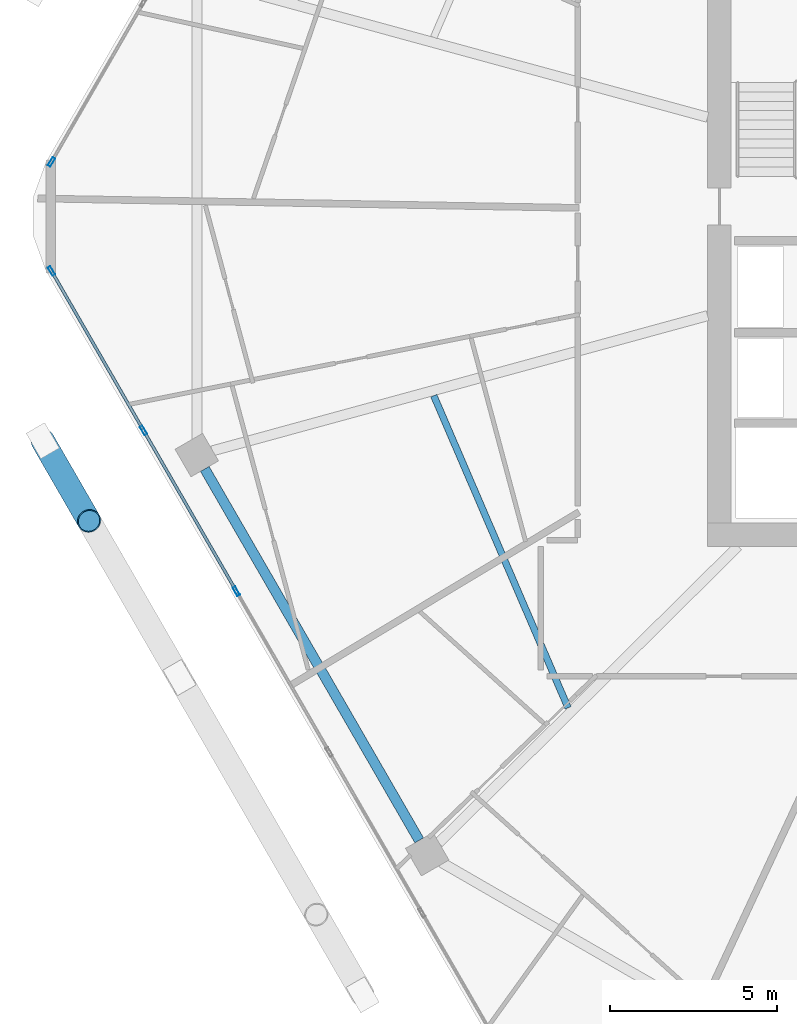
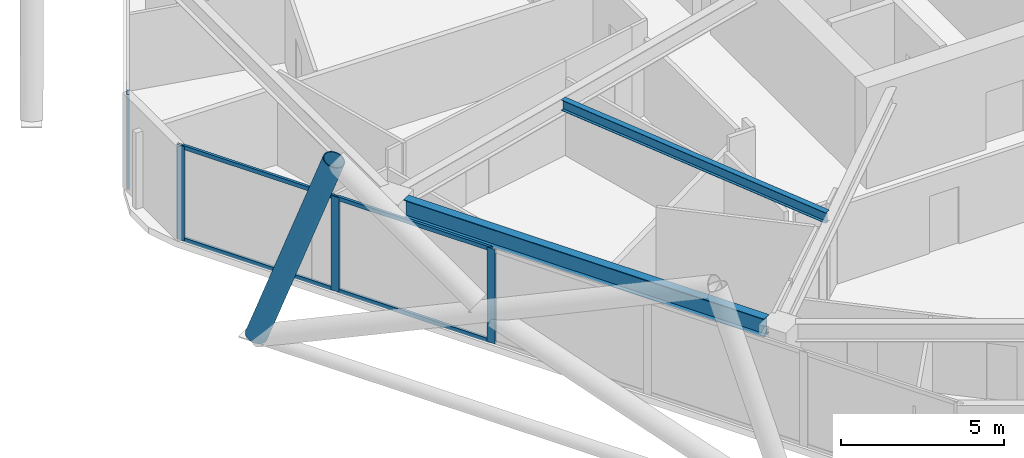
# One storey, part 5 of 28: 9 members, 2 beams, 2 elements without a shape of their own.
"""IFC4 building model written with IfcOpenShell, lengths in metres."""

import ifcopenshell
import ifcopenshell.guid

model = None  # the IFC model being written
_history = None  # IfcOwnerHistory: only IFC2X3 demands one
_inside = {}  # id of a spatial element -> (the spatial element, [elements in it])
_under = {}  # id of a project, library or spatial element -> (it, [spatial elements below it])
_declared = {}  # id of a project -> (the project, [libraries it declares])
_typed = {}  # id of a type object -> (the type object, [elements of that type])
_made_of = {}  # id of a material, layer set ... -> (it, [elements and type objects made of it])


def new_model(schema):
    """Start an empty IFC model of exactly this schema.

    Asked for "IFC4X3", IfcOpenShell would pick the latest addendum, in which some entities
    have other attributes; the version numbers below select the first issue.
    IFC2X3 requires an IfcOwnerHistory on every rooted entity: one is made here for all.
    """
    global model, _history
    if schema == "IFC4X3":
        model = ifcopenshell.file(schema_version=(4, 3, 0, 0))
    else:
        model = ifcopenshell.file(schema=schema)
    _inside.clear()
    _under.clear()
    _declared.clear()
    _typed.clear()
    _made_of.clear()
    _history = None
    if model.schema == "IFC2X3":
        org = make("IfcOrganization", Name="unknown")
        user = make(
            "IfcPersonAndOrganization",
            ThePerson=make("IfcPerson", FamilyName="unknown"),
            TheOrganization=org,
        )
        app = make(
            "IfcApplication",
            ApplicationDeveloper=org,
            Version="unknown",
            ApplicationFullName="unknown",
            ApplicationIdentifier="unknown",
        )
        _history = make(
            "IfcOwnerHistory",
            OwningUser=user,
            OwningApplication=app,
            ChangeAction="ADDED",
            CreationDate=0,
        )
    return model


def make(cls, **values):
    """One entity of the class cls with the attributes given. An attribute that is None is left unset."""
    return model.create_entity(
        cls, **{name: value for name, value in values.items() if value is not None}
    )


def rooted(cls, **values):
    """An entity with a GlobalId (a new one), such as an element, a storey or a relation."""
    return make(cls, GlobalId=ifcopenshell.guid.new(), OwnerHistory=_history, **values)


def si_unit(unit_type, name, prefix=None):
    """IfcSIUnit, for example si_unit("LENGTHUNIT", "METRE", prefix="MILLI")."""
    return make("IfcSIUnit", UnitType=unit_type, Prefix=prefix, Name=name)


def assignment(units):
    """IfcUnitAssignment: the units of a project."""
    return None if units is None else make("IfcUnitAssignment", Units=units)


def point(xyz):
    """IfcCartesianPoint."""
    return None if xyz is None else make("IfcCartesianPoint", Coordinates=xyz)


def direction(xyz):
    """IfcDirection."""
    return None if xyz is None else make("IfcDirection", DirectionRatios=xyz)


def frame(location, z_axis=None, x_axis=None):
    """IfcAxis2Placement3D, a coordinate frame: its origin and axes. An axis left out is left unset."""
    return make(
        "IfcAxis2Placement3D",
        Location=point(location),
        Axis=direction(z_axis),
        RefDirection=direction(x_axis),
    )


def frame_2d(location, x_axis=None):
    """IfcAxis2Placement2D, a coordinate frame in the plane: its origin and x axis."""
    return make(
        "IfcAxis2Placement2D", Location=point(location), RefDirection=direction(x_axis)
    )


def origin():
    """The frame at (0, 0, 0) with its axes left unset."""
    return frame((0.0, 0.0, 0.0))


def origin_2d():
    """The frame at (0, 0) in the plane with its x axis left unset."""
    return frame_2d((0.0, 0.0))


def place(relative_to, where):
    """IfcLocalPlacement: puts the frame where relative to a parent placement (None: the world)."""
    return make(
        "IfcLocalPlacement", PlacementRelTo=relative_to, RelativePlacement=where
    )


def context(
    kind, dimensions, precision=None, world=None, true_north=None, identifier=None
):
    """IfcGeometricRepresentationContext, for example the 3D "Model" context."""
    return make(
        "IfcGeometricRepresentationContext",
        ContextIdentifier=identifier,
        ContextType=kind,
        CoordinateSpaceDimension=dimensions,
        Precision=precision,
        WorldCoordinateSystem=world,
        TrueNorth=true_north,
    )


def subcontext(parent, identifier, kind, view, scale=None):
    """IfcGeometricRepresentationSubContext, for example "Body" below "Model"."""
    return make(
        "IfcGeometricRepresentationSubContext",
        ContextIdentifier=identifier,
        ContextType=kind,
        ParentContext=parent,
        TargetScale=scale,
        TargetView=view,
    )


def project(units=None, contexts=None):
    """IfcProject with its units and contexts."""
    return rooted(
        "IfcProject",
        Name="project",
        RepresentationContexts=contexts,
        UnitsInContext=assignment(units),
    )


def spatial(cls, under=None, at=None, **own):
    """A site, building, storey or space (cls), placed at a placement, below another one or the project."""
    s = rooted(cls, ObjectPlacement=at, **own)
    if under is not None:
        _under.setdefault(under.id(), (under, []))[1].append(s)
    return s


def profile(cls, at=None, kind="AREA", **sizes):
    """A parametric profile (cls). Its sizes go by their IFC names, for example OverallWidth=200.0."""
    return make(cls, ProfileType=kind, Position=at, **sizes)


def hollow_rectangle(**sizes):
    """IfcRectangleHollowProfileDef."""
    return profile("IfcRectangleHollowProfileDef", **sizes)


def hollow_circle(**sizes):
    """IfcCircleHollowProfileDef."""
    return profile("IfcCircleHollowProfileDef", **sizes)


def i_section(**sizes):
    """IfcIShapeProfileDef."""
    return profile("IfcIShapeProfileDef", **sizes)


def extrude(swept, where, along, depth):
    """IfcExtrudedAreaSolid: the profile swept, set in the frame where, extruded along a direction by depth."""
    return make(
        "IfcExtrudedAreaSolid",
        SweptArea=swept,
        Position=where,
        ExtrudedDirection=direction(along),
        Depth=depth,
    )


def shape(context_of_items, identifier, shape_type, items):
    """IfcShapeRepresentation: the items that make up one representation, for example the "Body"."""
    return make(
        "IfcShapeRepresentation",
        ContextOfItems=context_of_items,
        RepresentationIdentifier=identifier,
        RepresentationType=shape_type,
        Items=items,
    )


def material(Name=None, Category=None):
    """IfcMaterial."""
    return make("IfcMaterial", Name=Name, Category=Category)


def material_profile(
    of_material, cross_section, Name=None, Category=None, Priority=None
):
    """IfcMaterialProfile: a cross section and its material."""
    return make(
        "IfcMaterialProfile",
        Name=Name,
        Material=of_material,
        Profile=cross_section,
        Priority=Priority,
        Category=Category,
    )


def profile_set(profiles, Name=None, composite=None):
    """IfcMaterialProfileSet."""
    return make(
        "IfcMaterialProfileSet",
        Name=Name,
        MaterialProfiles=profiles,
        CompositeProfile=composite,
    )


def made_of(thing, what):
    """Note that an element or type object is made of a material, layer set ...; save() writes the relation."""
    if what is not None:
        _made_of.setdefault(what.id(), (what, []))[1].append(thing)
    return thing


def type_object(cls, material=None, **own):
    """A type object (cls), such as IfcWallType, which elements share."""
    return made_of(rooted(cls, **own), material)


def element(
    cls,
    number,
    at=None,
    inside=None,
    cuts=None,
    type_object=None,
    material=None,
    context=None,
    identifier="Body",
    shape_type=None,
    held_by="IfcProductDefinitionShape",
    body=None,
    shapes=None,
    **own,
):
    """One element of the class cls, such as IfcWall. Its Tag is "e" and its number.

    at: its placement. inside: the storey or other place that contains it. cuts: it is an
    opening in that element (IfcRelVoidsElement). A single representation is given by context,
    identifier, shape_type and body (its items); several are given by shapes. held_by: the class
    of the entity that holds the representations. save() writes the other relations.
    """
    e = rooted(cls, Tag="e%d" % number, ObjectPlacement=at, **own)
    if body is not None:
        shapes = [shape(context, identifier, shape_type, body)]
    if shapes is not None:
        e.Representation = make(held_by, Representations=shapes)
    if inside is not None:
        _inside.setdefault(inside.id(), (inside, []))[1].append(e)
    if cuts is not None:
        rooted(
            "IfcRelVoidsElement", RelatingBuildingElement=cuts, RelatedOpeningElement=e
        )
    if type_object is not None:
        _typed.setdefault(type_object.id(), (type_object, []))[1].append(e)
    return made_of(e, material)


def aggregate(whole, parts):
    """IfcRelAggregates: a whole, such as a stair, and the parts it consists of."""
    return rooted("IfcRelAggregates", RelatingObject=whole, RelatedObjects=parts)


def save(model, path):
    """Write the relations noted so far, then the file.

    IfcRelAggregates (storeys below a building ...), IfcRelContainedInSpatialStructure (elements
    in a storey), IfcRelDefinesByType, IfcRelAssociatesMaterial and IfcRelDeclares: one each for
    every whole, place, type object, material and project.
    """
    for whole, parts in _under.values():
        aggregate(whole, parts)
    for where, things in _inside.values():
        rooted(
            "IfcRelContainedInSpatialStructure",
            RelatedElements=things,
            RelatingStructure=where,
        )
    for kind, things in _typed.values():
        rooted("IfcRelDefinesByType", RelatedObjects=things, RelatingType=kind)
    for what, things in _made_of.values():
        rooted("IfcRelAssociatesMaterial", RelatedObjects=things, RelatingMaterial=what)
    for by, libraries in _declared.values():
        rooted("IfcRelDeclares", RelatingContext=by, RelatedDefinitions=libraries)
    model.write(path)


model = new_model("IFC4")

# Units and contexts
model_context = context("Model", 3, precision=1e-05, world=origin(), true_north=direction((0.0, 1.0)))
body_context = subcontext(model_context, "Body", "Model", "MODEL_VIEW")
ifc_project = project(units=[si_unit("LENGTHUNIT", "METRE"), si_unit("AREAUNIT", "SQUARE_METRE"), si_unit("VOLUMEUNIT", "CUBIC_METRE"), si_unit("PLANEANGLEUNIT", "RADIAN"), si_unit("MASSUNIT", "GRAM", prefix="KILO")], contexts=[model_context])

# Site, building, storey
site_placement = place(None, origin())
site = spatial("IfcSite", under=ifc_project, at=site_placement, CompositionType="ELEMENT")
building_placement = place(site_placement, origin())
building = spatial("IfcBuilding", under=site, at=building_placement, Name="Zuhravey Tower", CompositionType="ELEMENT")
storey_placement = place(building_placement, frame((0.0, 0.0, 207.39990234375)))
storey = spatial("IfcBuildingStorey", under=building, at=storey_placement, Name="L52", CompositionType="ELEMENT", Elevation=207.39990234375)

# Curtain wall, members
ifc_material_1 = material(Name="Thermally broken anodised aluminium", Category="aluminium")
curtain_wall_type = type_object("IfcCurtainWallType", Name="Zone 1-2 Residential Curtain Wall CW3", PredefinedType="NOTDEFINED", material=ifc_material_1)
curtain_wall_1_placement = place(storey_placement, origin())
curtain_wall_1 = element("IfcCurtainWall", 1, at=curtain_wall_1_placement, inside=storey, type_object=curtain_wall_type, Name="L52 CW3 CW-L52-F4-1", PredefinedType="NOTDEFINED")
ifc_material_2 = material(Name="Anodised aluminium", Category="aluminium")
ifc_material_profile_1 = material_profile(ifc_material_2, hollow_rectangle(XDim=0.090087890625, YDim=0.284912109375, WallThickness=0.0048828125, at=origin_2d()), Name="ALU-RHS-90x285x5")
ifc_profile_set_1 = profile_set([ifc_material_profile_1], Name="Anodised aluminium")
member_type_1 = type_object("IfcMemberType", Name="Curtain-Wall Mullion 90x180", PredefinedType="MULLION", material=ifc_profile_set_1)
member_1_placement = place(storey_placement, frame((11.07275390625, 20.809326171875, 0.0), z_axis=(0.0, 0.0, 1.0), x_axis=(-0.866025138215, -0.500000459979, 0.0)))
member_1 = element("IfcMember", 2, at=member_1_placement, type_object=member_type_1, Name="CW3 mullion 4", PredefinedType="MULLION", context=body_context, shape_type="SweptSolid", body=[
    extrude(hollow_rectangle(XDim=0.090087890625, YDim=0.284912109375, WallThickness=0.0048828125, at=origin_2d()), origin(), (0.0, 0.0, 1.0), 3.550048828125),
])
member_2_placement = place(storey_placement, frame((8.300537109375, 25.61083984375, 0.0), z_axis=(0.0, 0.0, 1.0), x_axis=(-0.866025138215, -0.500000459979, 0.0)))
member_2 = element("IfcMember", 3, at=member_2_placement, type_object=member_type_1, Name="CW3 mullion 5", PredefinedType="MULLION", context=body_context, shape_type="SweptSolid", body=[
    extrude(hollow_rectangle(XDim=0.090087890625, YDim=0.284912109375, WallThickness=0.0048828125, at=origin_2d()), origin(), (0.0, 0.0, 1.0), 3.550048828125),
])
member_3_placement = place(storey_placement, frame((5.55078125, 30.37353515625, 0.0), z_axis=(0.0, 0.0, 1.0), x_axis=(-0.866025138215, -0.500000459979, 0.0)))
member_3 = element("IfcMember", 4, at=member_3_placement, type_object=member_type_1, Name="CW3 mullion 6", PredefinedType="MULLION", context=body_context, shape_type="SweptSolid", body=[
    extrude(hollow_rectangle(XDim=0.090087890625, YDim=0.284912109375, WallThickness=0.0048828125, at=origin_2d()), origin(), (0.0, 0.0, 1.0), 3.550048828125),
])

# Curtain wall, member
curtain_wall_2_placement = place(storey_placement, origin())
curtain_wall_2 = element("IfcCurtainWall", 5, at=curtain_wall_2_placement, inside=storey, type_object=curtain_wall_type, Name="L52 CW3 CW-L52-F3-1", PredefinedType="NOTDEFINED")
member_4_placement = place(storey_placement, frame((5.55078125, 33.62646484375, 0.0), z_axis=(0.0, 0.0, 1.0), x_axis=(-0.866025138215, 0.500000459979, 0.0)))
member_4 = element("IfcMember", 6, at=member_4_placement, type_object=member_type_1, Name="CW3 mullion 1", PredefinedType="MULLION", context=body_context, shape_type="SweptSolid", body=[
    extrude(hollow_rectangle(XDim=0.090087890625, YDim=0.284912109375, WallThickness=0.0048828125, at=origin_2d()), origin(), (0.0, 0.0, 1.0), 3.550048828125),
])
aggregate(curtain_wall_2, [member_4])

# Member
ifc_material_profile_2 = material_profile(ifc_material_2, hollow_rectangle(XDim=0.090087890625, YDim=0.14990234375, WallThickness=0.0048828125, at=origin_2d()), Name="ALU-RHS-90x150x5")
ifc_profile_set_2 = profile_set([ifc_material_profile_2], Name="Anodised aluminium")
member_type_2 = type_object("IfcMemberType", Name="Curtain-Wall Transom 90x150", PredefinedType="USERDEFINED", material=ifc_profile_set_2)
member_5_placement = place(storey_placement, frame((11.050048828125, 20.84814453125, 0.045166015625), z_axis=(-0.49996138257, 0.86604769842, 0.0), x_axis=(-0.86604769842, -0.49996138257, 0.0)))
member_5 = element("IfcMember", 7, at=member_5_placement, type_object=member_type_2, Name="CW3 transom 4.1", ObjectType="TRANSOM", PredefinedType="USERDEFINED", context=body_context, shape_type="SweptSolid", body=[
    extrude(hollow_rectangle(XDim=0.090087890625, YDim=0.14990234375, WallThickness=0.0048828125, at=origin_2d()), origin(), (0.0, 0.0, 1.0), 5.45458984375),
])

member_6_placement = place(storey_placement, frame((11.050048828125, 20.84814453125, 3.505126953125), z_axis=(-0.49996138257, 0.86604769842, 0.0), x_axis=(-0.86604769842, -0.49996138257, 0.0)))
member_6 = element("IfcMember", 8, at=member_6_placement, type_object=member_type_2, Name="CW3 transom 4.2", ObjectType="TRANSOM", PredefinedType="USERDEFINED", context=body_context, shape_type="SweptSolid", body=[
    extrude(hollow_rectangle(XDim=0.090087890625, YDim=0.14990234375, WallThickness=0.0048828125, at=origin_2d()), origin(), (0.0, 0.0, 1.0), 5.45458984375),
])

member_7_placement = place(storey_placement, frame((8.27783203125, 25.64990234375, 0.045166015625), z_axis=(-0.499993332629, 0.866029253159, 0.0), x_axis=(-0.866029253159, -0.499993332629, 0.0)))
member_7 = element("IfcMember", 9, at=member_7_placement, type_object=member_type_2, Name="CW3 transom 5.1", ObjectType="TRANSOM", PredefinedType="USERDEFINED", context=body_context, shape_type="SweptSolid", body=[
    extrude(hollow_rectangle(XDim=0.090087890625, YDim=0.14990234375, WallThickness=0.0048828125, at=origin_2d()), origin(), (0.0, 0.0, 1.0), 5.4091796875),
])

member_8_placement = place(storey_placement, frame((8.27783203125, 25.64990234375, 3.505126953125), z_axis=(-0.499993332629, 0.866029253159, 0.0), x_axis=(-0.866029253159, -0.499993332629, 0.0)))
member_8 = element("IfcMember", 10, at=member_8_placement, type_object=member_type_2, Name="CW3 transom 5.2", ObjectType="TRANSOM", PredefinedType="USERDEFINED", context=body_context, shape_type="SweptSolid", body=[
    extrude(hollow_rectangle(XDim=0.090087890625, YDim=0.14990234375, WallThickness=0.0048828125, at=origin_2d()), origin(), (0.0, 0.0, 1.0), 5.4091796875),
])

aggregate(curtain_wall_1, [member_1, member_2, member_3, member_5, member_6, member_7, member_8])

ifc_material_3 = material(Name="Steel SM460", Category="steel")
ifc_material_profile_3 = material_profile(ifc_material_3, hollow_circle(Radius=0.355712890625, WallThickness=0.031982421875, at=origin_2d()), Name="CHS-711.2x32")
ifc_profile_set_3 = profile_set([ifc_material_profile_3], Name="Steel SM460")
member_type_3 = type_object("IfcMemberType", Name="Exoskeleton Zone 2 Diagrid CHS711x32", PredefinedType="BRACE", material=ifc_profile_set_3)
member_9_placement = place(storey_placement, frame((5.294677734375, 25.296875, -0.44384765625), z_axis=(0.171428917165, -0.296929081792, 0.939385568734), x_axis=(0.866029404905, 0.499993069792, 0.0)))
element("IfcMember", 11, at=member_9_placement, inside=storey, type_object=member_type_3, Name="L52 Face 4 Diagrid Brace 1", PredefinedType="BRACE", context=body_context, shape_type="SweptSolid", body=[
    extrude(hollow_circle(Radius=0.355712890625, WallThickness=0.031982421875, at=origin_2d()), origin(), (0.0, 0.0, 1.0), 8.0478515625),
])

# Beams
ifc_material_4 = material(Name="Steel SM355", Category="steel")
ifc_material_profile_4 = material_profile(ifc_material_4, i_section(OverallWidth=0.300048828125, OverallDepth=0.679931640625, WebThickness=0.012939453125, FlangeThickness=0.02197265625, at=origin_2d()), Name="H-680x300x13x22")
ifc_profile_set_4 = profile_set([ifc_material_profile_4], Name="Steel SM355")
beam_type_1 = type_object("IfcBeamType", Name="Perimeter Ring Beam H680x300", PredefinedType="BEAM", material=ifc_profile_set_4)
beam_1_placement = place(storey_placement, frame((10.13134765625, 24.45947265625, 3.210205078125), z_axis=(0.500003505699, -0.866023379758, 0.0), x_axis=(0.866023379758, 0.500003505699, 0.0)))
element("IfcBeam", 12, at=beam_1_placement, inside=storey, type_object=beam_type_1, Name="L52 PB2 BM-L52-PB-07", PredefinedType="BEAM", context=body_context, shape_type="SweptSolid", body=[
    extrude(i_section(OverallWidth=0.300048828125, OverallDepth=0.679931640625, WebThickness=0.012939453125, FlangeThickness=0.02197265625, at=origin_2d()), origin(), (0.0, 0.0, 1.0), 12.80810546875),
])
ifc_material_profile_5 = material_profile(ifc_material_4, i_section(OverallWidth=0.199951171875, OverallDepth=0.39990234375, WebThickness=0.008056640625, FlangeThickness=0.012939453125, at=origin_2d()), Name="H-400x200x8x13")
ifc_profile_set_5 = profile_set([ifc_material_profile_5], Name="Steel SM355")
beam_type_2 = type_object("IfcBeamType", Name="Secondary Floor Joist H400x200", PredefinedType="JOIST", material=ifc_profile_set_5)
beam_2_placement = place(storey_placement, frame((16.970458984375, 26.6474609375, 3.35009765625), z_axis=(0.395265853487, -0.918566766799, 0.0), x_axis=(0.918566766799, 0.395265853487, 0.0)))
element("IfcBeam", 13, at=beam_2_placement, inside=storey, type_object=beam_type_2, Name="L52 SJ2 BM-L52-SJ-07-1", PredefinedType="JOIST", context=body_context, shape_type="SweptSolid", body=[
    extrude(i_section(OverallWidth=0.199951171875, OverallDepth=0.39990234375, WebThickness=0.008056640625, FlangeThickness=0.012939453125, at=origin_2d()), origin(), (0.0, 0.0, 1.0), 10.150146484375),
])

save(model, "model.ifc")
